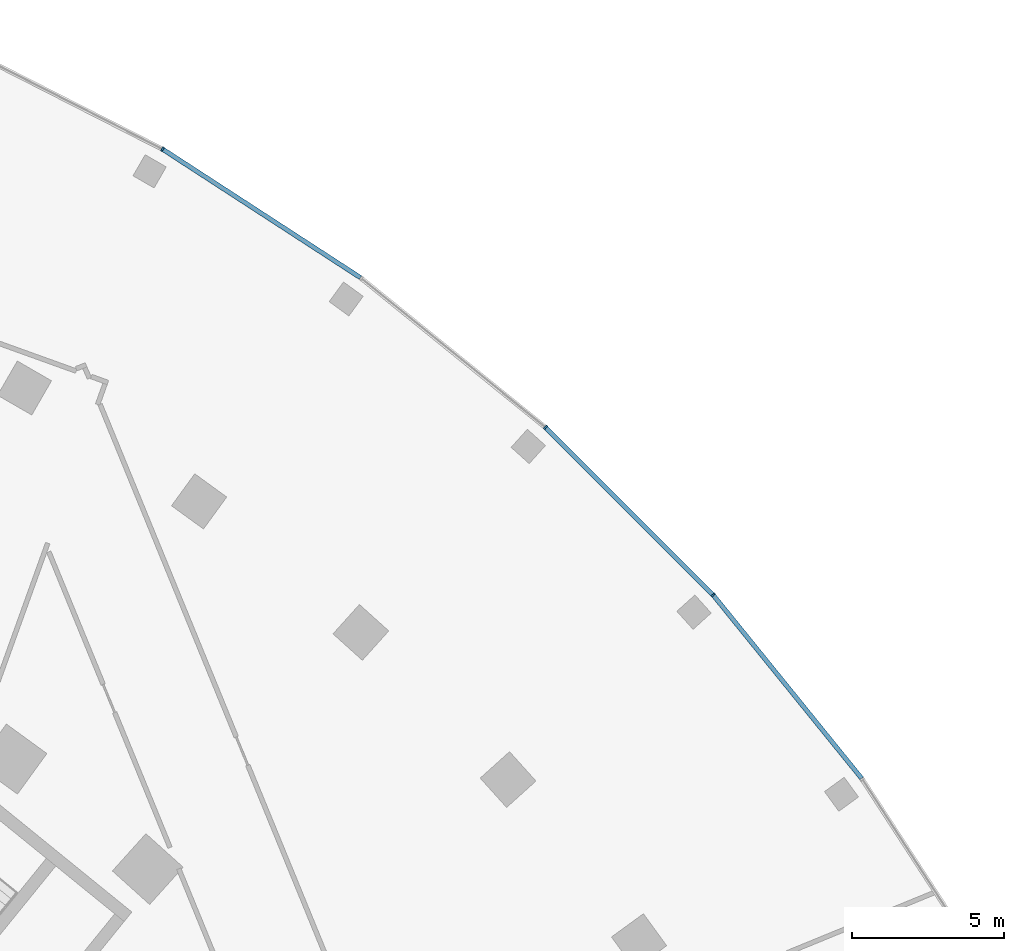
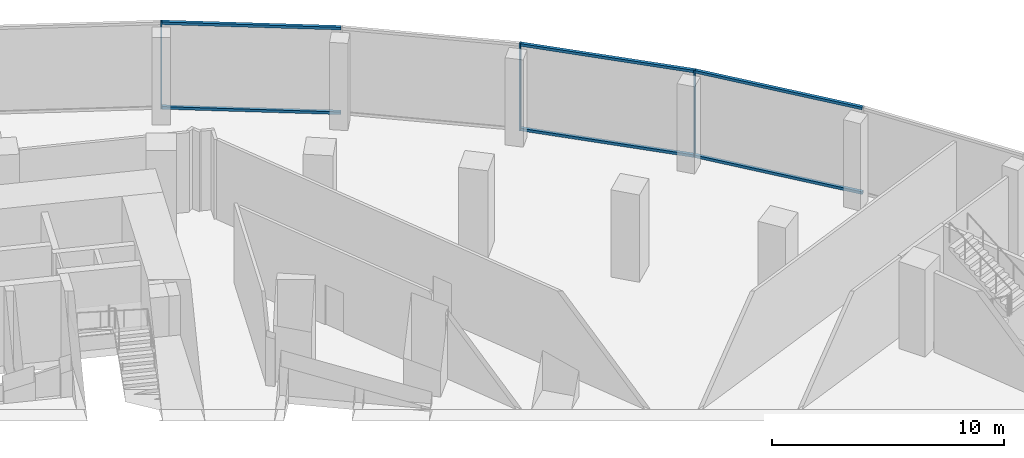
# One storey, part 12 of 39: 9 members, 1 element without a shape of its own.
"""IFC4 building model written with IfcOpenShell, lengths in metres."""

from ifc_helpers import new_model, si_unit, direction, frame, origin, origin_2d, place, context, subcontext, project, spatial, rectangle, extrude, material, layer, layer_set, material_profile, profile_set, type_object, element, aggregate, save


model = new_model("IFC4")

# Units and contexts
model_context = context("Model", 3, precision=1e-05, world=origin(), true_north=direction((0.0, 1.0)))
body_context = subcontext(model_context, "Body", "Model", "MODEL_VIEW")
ifc_project = project(units=[si_unit("LENGTHUNIT", "METRE"), si_unit("AREAUNIT", "SQUARE_METRE"), si_unit("VOLUMEUNIT", "CUBIC_METRE"), si_unit("PLANEANGLEUNIT", "RADIAN"), si_unit("MASSUNIT", "GRAM", prefix="KILO")], contexts=[model_context])

# Site, building, storey
site_placement = place(None, origin())
site = spatial("IfcSite", under=ifc_project, at=site_placement, CompositionType="ELEMENT")
building_placement = place(site_placement, origin())
building = spatial("IfcBuilding", under=site, at=building_placement, Name="Stone Belt Terrace Tower", CompositionType="ELEMENT")
storey_placement = place(building_placement, frame((0.0, 0.0, 16.199951171875)))
storey = spatial("IfcBuildingStorey", under=building, at=storey_placement, Name="L03", CompositionType="ELEMENT", Elevation=16.199951171875)

# Curtain wall, members
ifc_material = material(Name="Aluminium 6063-T6 anodised frame", Category="aluminium")
ifc_layer = layer(ifc_material, 0.14990234375)
ifc_layer_set = layer_set([ifc_layer], Name="CW-D podium shopfront")
curtain_wall_type = type_object("IfcCurtainWallType", Name="CW-D podium shopfront", PredefinedType="NOTDEFINED", material=ifc_layer_set)
curtain_wall_placement = place(storey_placement, origin())
curtain_wall = element("IfcCurtainWall", 1, at=curtain_wall_placement, inside=storey, type_object=curtain_wall_type, Name="CW-D convex face L03", PredefinedType="NOTDEFINED")
ifc_material_profile_1 = material_profile(ifc_material, rectangle(XDim=0.14990234375, YDim=0.06005859375, at=origin_2d()), Name="Aluminium 6063-T6 60x150")
ifc_profile_set_1 = profile_set([ifc_material_profile_1], Name="Aluminium 6063-T6 anodised frame")
member_type_1 = type_object("IfcMemberType", Name="CW-D mullion 60 x 150", PredefinedType="MULLION", material=ifc_profile_set_1)
member_1_placement = place(storey_placement, frame((55.420166015625, 49.900390625, 0.0), z_axis=(0.0, 0.0, 1.0), x_axis=(-0.743144825477, -0.669130606359, 0.0)))
member_1 = element("IfcMember", 2, at=member_1_placement, type_object=member_type_1, Name="CW-D mullion 5", PredefinedType="MULLION", context=body_context, shape_type="SweptSolid", body=[
    extrude(rectangle(XDim=0.14990234375, YDim=0.06005859375, at=origin_2d()), origin(), (0.0, 0.0, 1.0), 4.60009765625),
])
member_2_placement = place(storey_placement, frame((49.900390625, 55.420166015625, 0.0), z_axis=(0.0, 0.0, 1.0), x_axis=(-0.669130606359, -0.743144825477, 0.0)))
member_2 = element("IfcMember", 3, at=member_2_placement, type_object=member_type_1, Name="CW-D mullion 6", PredefinedType="MULLION", context=body_context, shape_type="SweptSolid", body=[
    extrude(rectangle(XDim=0.14990234375, YDim=0.06005859375, at=origin_2d()), origin(), (0.0, 0.0, 1.0), 4.60009765625),
])
member_3_placement = place(storey_placement, frame((37.28759765625, 64.583984375, 0.0), z_axis=(0.0, 0.0, 1.0), x_axis=(-0.5, -0.866025403784, 0.0)))
member_3 = element("IfcMember", 4, at=member_3_placement, type_object=member_type_1, Name="CW-D mullion 8", PredefinedType="MULLION", context=body_context, shape_type="SweptSolid", body=[
    extrude(rectangle(XDim=0.14990234375, YDim=0.06005859375, at=origin_2d()), origin(), (0.0, 0.0, 1.0), 4.60009765625),
])
ifc_material_profile_2 = material_profile(ifc_material, rectangle(XDim=0.14990234375, YDim=0.139892578125, at=origin_2d()), Name="Aluminium 6063-T6 150x140")
ifc_profile_set_2 = profile_set([ifc_material_profile_2], Name="Aluminium 6063-T6 anodised frame")
member_type_2 = type_object("IfcMemberType", Name="CW-D transom 140 x 150", PredefinedType="USERDEFINED", material=ifc_profile_set_2)
member_4_placement = place(storey_placement, frame((60.311279296875, 43.860595703125, 0.070068359375), z_axis=(-0.62932800712, 0.777139794023, 0.0), x_axis=(-0.777139794023, -0.62932800712, 0.0)))
member_4 = element("IfcMember", 5, at=member_4_placement, type_object=member_type_2, Name="CW-D transom 4.1", ObjectType="TRANSOM", PredefinedType="USERDEFINED", context=body_context, shape_type="SweptSolid", body=[
    extrude(rectangle(XDim=0.14990234375, YDim=0.139892578125, at=origin_2d()), origin(), (0.0, 0.0, 1.0), 7.73828125),
])
member_5_placement = place(storey_placement, frame((60.311279296875, 43.860595703125, 4.530029296875), z_axis=(-0.62932800712, 0.777139794023, 0.0), x_axis=(-0.777139794023, -0.62932800712, 0.0)))
member_5 = element("IfcMember", 6, at=member_5_placement, type_object=member_type_2, Name="CW-D transom 4.2", ObjectType="TRANSOM", PredefinedType="USERDEFINED", context=body_context, shape_type="SweptSolid", body=[
    extrude(rectangle(XDim=0.14990234375, YDim=0.139892578125, at=origin_2d()), origin(), (0.0, 0.0, 1.0), 7.73828125),
])
member_6_placement = place(storey_placement, frame((55.396240234375, 49.924560546875, 0.070068359375), z_axis=(-0.707106781187, 0.707106781187, 0.0), x_axis=(-0.707106781187, -0.707106781187, 0.0)))
member_6 = element("IfcMember", 7, at=member_6_placement, type_object=member_type_2, Name="CW-D transom 5.1", ObjectType="TRANSOM", PredefinedType="USERDEFINED", context=body_context, shape_type="SweptSolid", body=[
    extrude(rectangle(XDim=0.14990234375, YDim=0.139892578125, at=origin_2d()), origin(), (0.0, 0.0, 1.0), 7.738037109375),
])
member_7_placement = place(storey_placement, frame((55.396240234375, 49.924560546875, 4.530029296875), z_axis=(-0.707106781187, 0.707106781187, 0.0), x_axis=(-0.707106781187, -0.707106781187, 0.0)))
member_7 = element("IfcMember", 8, at=member_7_placement, type_object=member_type_2, Name="CW-D transom 5.2", ObjectType="TRANSOM", PredefinedType="USERDEFINED", context=body_context, shape_type="SweptSolid", body=[
    extrude(rectangle(XDim=0.14990234375, YDim=0.139892578125, at=origin_2d()), origin(), (0.0, 0.0, 1.0), 7.738037109375),
])
member_8_placement = place(storey_placement, frame((43.8056640625, 60.35107421875, 0.070068359375), z_axis=(-0.83867853224, 0.54462677088, 0.0), x_axis=(-0.54462677088, -0.83867853224, 0.0)))
member_8 = element("IfcMember", 9, at=member_8_placement, type_object=member_type_2, Name="CW-D transom 7.1", ObjectType="TRANSOM", PredefinedType="USERDEFINED", context=body_context, shape_type="SweptSolid", body=[
    extrude(rectangle(XDim=0.14990234375, YDim=0.139892578125, at=origin_2d()), origin(), (0.0, 0.0, 1.0), 7.738037109375),
])
member_9_placement = place(storey_placement, frame((43.8056640625, 60.35107421875, 4.530029296875), z_axis=(-0.83867853224, 0.54462677088, 0.0), x_axis=(-0.54462677088, -0.83867853224, 0.0)))
member_9 = element("IfcMember", 10, at=member_9_placement, type_object=member_type_2, Name="CW-D transom 7.2", ObjectType="TRANSOM", PredefinedType="USERDEFINED", context=body_context, shape_type="SweptSolid", body=[
    extrude(rectangle(XDim=0.14990234375, YDim=0.139892578125, at=origin_2d()), origin(), (0.0, 0.0, 1.0), 7.738037109375),
])
aggregate(curtain_wall, [member_1, member_2, member_3, member_4, member_5, member_6, member_7, member_8, member_9])

save(model, "model.ifc")
